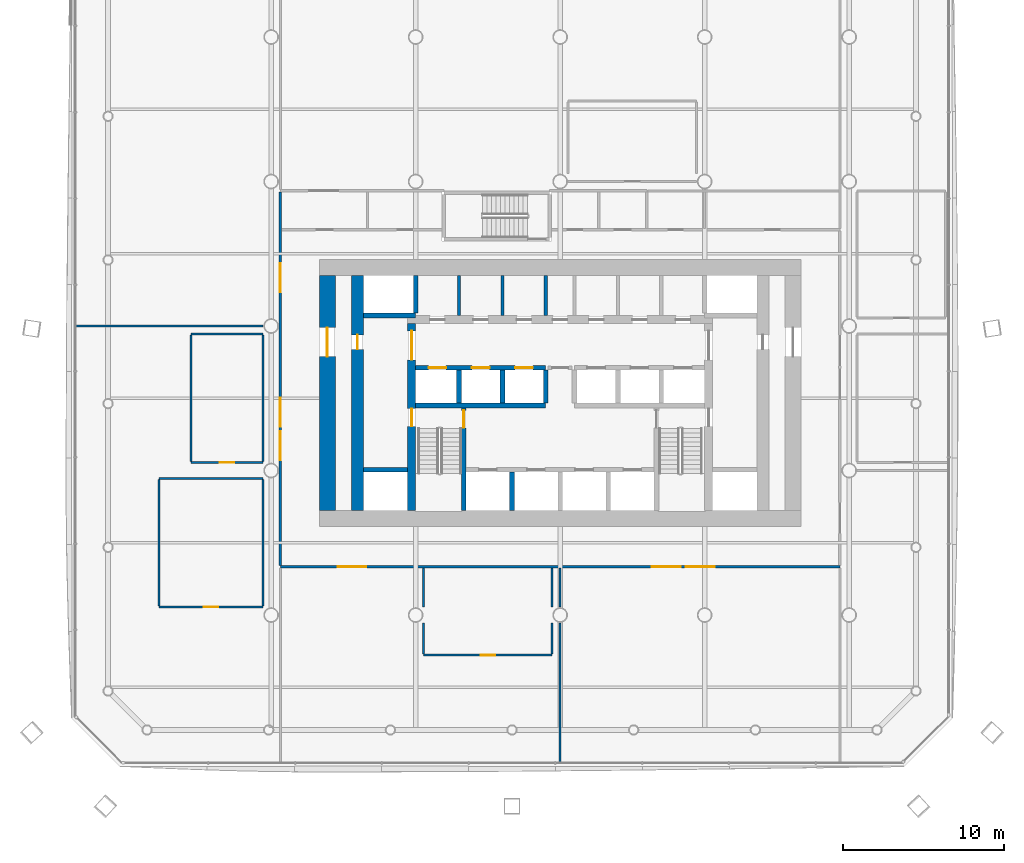
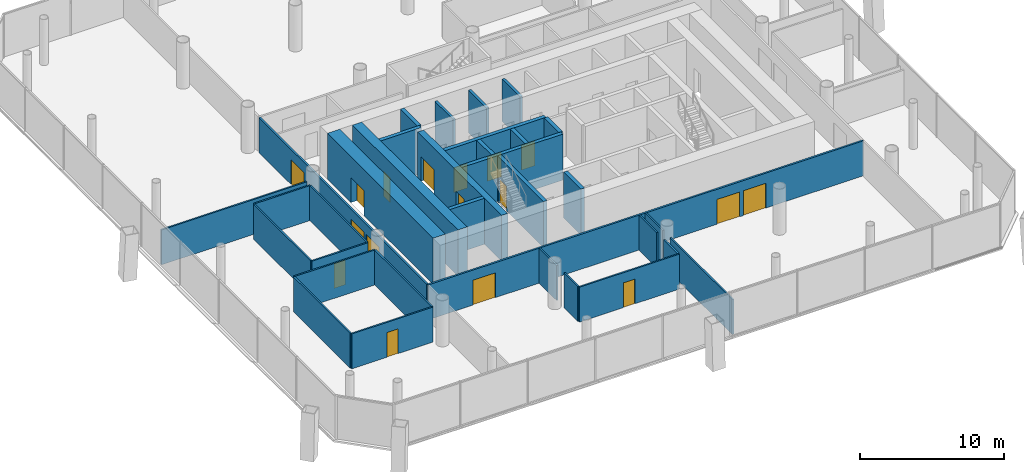
# One storey, part 14 of 22: 34 walls, 17 doors, 17 openings.
"""IFC4 building model written with IfcOpenShell, lengths in metres."""

from ifc_helpers import new_model, si_unit, direction, frame, frame_2d, origin, place, context, subcontext, project, spatial, rectangle, extrude, material, layer, layer_set, type_object, element, fill, save


model = new_model("IFC4")

# Units and contexts
model_context = context("Model", 3, precision=1e-05, world=origin(), true_north=direction((0.0, 1.0)))
body_context = subcontext(model_context, "Body", "Model", "MODEL_VIEW")
ifc_project = project(units=[si_unit("LENGTHUNIT", "METRE"), si_unit("AREAUNIT", "SQUARE_METRE"), si_unit("VOLUMEUNIT", "CUBIC_METRE"), si_unit("PLANEANGLEUNIT", "RADIAN"), si_unit("MASSUNIT", "GRAM", prefix="KILO")], contexts=[model_context])

# Site, building, storey
site_placement = place(None, origin())
site = spatial("IfcSite", under=ifc_project, at=site_placement, CompositionType="ELEMENT")
building_placement = place(site_placement, origin())
building = spatial("IfcBuilding", under=site, at=building_placement, Name="Tskaro Facet Tower", CompositionType="ELEMENT")
storey_placement = place(building_placement, frame((0.0, 0.0, 30.300048828125)))
storey = spatial("IfcBuildingStorey", under=building, at=storey_placement, Name="L06", CompositionType="ELEMENT", Elevation=30.300048828125)

# Walls
ifc_material_1 = material(Name="Concrete C60/75", Category="concrete")
ifc_layer_1 = layer(ifc_material_1, 0.300048828125, Name="Concrete C60/75")
ifc_layer_set_1 = layer_set([ifc_layer_1], Name="Concrete C60/75")
wall_type_1 = type_object("IfcWallType", Name="CORE-SHAFT", PredefinedType="SHEAR", material=ifc_layer_set_1)
wall_1_placement = place(storey_placement, frame((-12.25, -8.949951171875, 0.0), z_axis=(0.0, 0.0, 1.0), x_axis=(1.0, 0.0, 0.0)))
element("IfcWall", 1, at=wall_1_placement, inside=storey, type_object=wall_type_1, Name="Shaft wall W006", PredefinedType="SHEAR", context=body_context, shape_type="SweptSolid", body=[
    extrude(rectangle(XDim=2.75, YDim=0.300048828125, at=frame_2d((1.375, 0.0))), origin(), (0.0, 0.0, 1.0), 3.89990234375),
])
wall_2_placement = place(storey_placement, frame((-9.0, -4.949951171875, 0.0), z_axis=(0.0, 0.0, 1.0), x_axis=(1.0, 0.0, 0.0)))
element("IfcWall", 2, at=wall_2_placement, inside=storey, type_object=wall_type_1, Name="Shaft wall W011", PredefinedType="SHEAR", context=body_context, shape_type="SweptSolid", body=[
    extrude(rectangle(XDim=8.10009765625, YDim=0.300048828125, at=frame_2d((4.050048828125, 0.0))), origin(), (0.0, 0.0, 1.0), 3.89990234375),
])

# Wall, openings, doors
wall_3_placement = place(storey_placement, frame((-9.0, -2.60009765625, 0.0), z_axis=(0.0, 0.0, 1.0), x_axis=(1.0, 0.0, 0.0)))
wall_3 = element("IfcWall", 3, at=wall_3_placement, inside=storey, type_object=wall_type_1, Name="Shaft wall W013", PredefinedType="SHEAR", context=body_context, shape_type="SweptSolid", body=[
    extrude(rectangle(XDim=8.10009765625, YDim=0.300048828125, at=frame_2d((4.050048828125, 0.0))), origin(), (0.0, 0.0, 1.0), 3.89990234375),
])
opening_1_placement = place(wall_3_placement, frame((0.800048828125, 0.0, 0.0)))
opening_1 = element("IfcOpeningElement", 4, at=opening_1_placement, cuts=wall_3, Name="Opening LD-LR1", PredefinedType="OPENING", context=body_context, shape_type="SweptSolid", body=[
    extrude(rectangle(XDim=1.10009765625, YDim=2.10009765625, at=frame_2d((0.550048828125, 1.050048828125))), frame((0.0, 0.159912109375, 0.0), z_axis=(0.0, -1.0, 0.0), x_axis=(1.0, 0.0, 0.0)), (0.0, 0.0, 1.0), 0.320068359375),
])
opening_2_placement = place(wall_3_placement, frame((3.5, 0.0, 0.0)))
opening_2 = element("IfcOpeningElement", 5, at=opening_2_placement, cuts=wall_3, Name="Opening LD-LR2", PredefinedType="OPENING", context=body_context, shape_type="SweptSolid", body=[
    extrude(rectangle(XDim=1.10009765625, YDim=2.10009765625, at=frame_2d((0.550048828125, 1.050048828125))), frame((0.0, 0.159912109375, 0.0), z_axis=(0.0, -1.0, 0.0), x_axis=(1.0, 0.0, 0.0)), (0.0, 0.0, 1.0), 0.320068359375),
])
opening_3_placement = place(wall_3_placement, frame((6.199951171875, 0.0, 0.0)))
opening_3 = element("IfcOpeningElement", 6, at=opening_3_placement, cuts=wall_3, Name="Opening LD-LR3", PredefinedType="OPENING", context=body_context, shape_type="SweptSolid", body=[
    extrude(rectangle(XDim=1.10009765625, YDim=2.10009765625, at=frame_2d((0.550048828125, 1.050048828125))), frame((0.0, 0.159912109375, 0.0), z_axis=(0.0, -1.0, 0.0), x_axis=(1.0, 0.0, 0.0)), (0.0, 0.0, 1.0), 0.320068359375),
])
ifc_material_2 = material(Name="Stainless steel", Category="steel")
door_type_1 = type_object("IfcDoorType", Name="D-LANDING", OperationType="NOTDEFINED", PredefinedType="DOOR", material=ifc_material_2)
door_1_placement = place(opening_1_placement, origin())
door_1 = element("IfcDoor", 7, at=door_1_placement, inside=storey, type_object=door_type_1, Name="Landing door LR1", OperationType="DOUBLE_DOOR_SLIDING", OverallHeight=2.10009765625, OverallWidth=1.10009765625, PredefinedType="DOOR", context=body_context, shape_type="SweptSolid", body=[
    extrude(rectangle(XDim=1.10009765625, YDim=2.10009765625, at=frame_2d((0.550048828125, 1.050048828125))), frame((0.0, 0.02490234375, 0.0), z_axis=(0.0, -1.0, 0.0), x_axis=(1.0, 0.0, 0.0)), (0.0, 0.0, 1.0), 0.050048828125),
])
fill(opening_1, door_1)
door_2_placement = place(opening_2_placement, origin())
door_2 = element("IfcDoor", 8, at=door_2_placement, inside=storey, type_object=door_type_1, Name="Landing door LR2", OperationType="DOUBLE_DOOR_SLIDING", OverallHeight=2.10009765625, OverallWidth=1.10009765625, PredefinedType="DOOR", context=body_context, shape_type="SweptSolid", body=[
    extrude(rectangle(XDim=1.10009765625, YDim=2.10009765625, at=frame_2d((0.550048828125, 1.050048828125))), frame((0.0, 0.02490234375, 0.0), z_axis=(0.0, -1.0, 0.0), x_axis=(1.0, 0.0, 0.0)), (0.0, 0.0, 1.0), 0.050048828125),
])
fill(opening_2, door_2)
door_3_placement = place(opening_3_placement, origin())
door_3 = element("IfcDoor", 9, at=door_3_placement, inside=storey, type_object=door_type_1, Name="Landing door LR3", OperationType="DOUBLE_DOOR_SLIDING", OverallHeight=2.10009765625, OverallWidth=1.10009765625, PredefinedType="DOOR", context=body_context, shape_type="SweptSolid", body=[
    extrude(rectangle(XDim=1.10009765625, YDim=2.10009765625, at=frame_2d((0.550048828125, 1.050048828125))), frame((0.0, 0.02490234375, 0.0), z_axis=(0.0, -1.0, 0.0), x_axis=(1.0, 0.0, 0.0)), (0.0, 0.0, 1.0), 0.050048828125),
])
fill(opening_3, door_3)

# Walls
wall_4_placement = place(storey_placement, frame((-9.0, 0.64990234375, 0.0), z_axis=(0.0, 0.0, 1.0), x_axis=(-1.0, 0.0, 0.0)))
element("IfcWall", 10, at=wall_4_placement, inside=storey, type_object=wall_type_1, Name="Shaft wall W020", PredefinedType="SHEAR", context=body_context, shape_type="SweptSolid", body=[
    extrude(rectangle(XDim=3.25, YDim=0.300048828125, at=frame_2d((1.625, 0.0))), origin(), (0.0, 0.0, 1.0), 3.89990234375),
])
wall_5_placement = place(storey_placement, frame((-9.0, 0.800048828125, 0.0), z_axis=(0.0, 0.0, 1.0), x_axis=(0.0, 1.0, 0.0)))
element("IfcWall", 11, at=wall_5_placement, inside=storey, type_object=wall_type_1, Name="Shaft wall W040", PredefinedType="SHEAR", context=body_context, shape_type="SweptSolid", body=[
    extrude(rectangle(XDim=2.349853515625, YDim=0.300048828125, at=frame_2d((1.1748046875, 0.0))), origin(), (0.0, 0.0, 1.0), 3.89990234375),
])
wall_6_placement = place(storey_placement, frame((-6.300048828125, -4.800048828125, 0.0), z_axis=(0.0, 0.0, 1.0), x_axis=(0.0, 1.0, 0.0)))
element("IfcWall", 12, at=wall_6_placement, inside=storey, type_object=wall_type_1, Name="Shaft wall W044", PredefinedType="SHEAR", context=body_context, shape_type="SweptSolid", body=[
    extrude(rectangle(XDim=2.050048828125, YDim=0.300048828125, at=frame_2d((1.02490234375, 0.0))), origin(), (0.0, 0.0, 1.0), 3.89990234375),
])

# Wall, opening, door
wall_7_placement = place(storey_placement, frame((-6.0, -11.5, 0.0), z_axis=(0.0, 0.0, 1.0), x_axis=(0.0, 1.0, 0.0)))
wall_7 = element("IfcWall", 13, at=wall_7_placement, inside=storey, type_object=wall_type_1, Name="Shaft wall W046", PredefinedType="SHEAR", context=body_context, shape_type="SweptSolid", body=[
    extrude(rectangle(XDim=6.39990234375, YDim=0.300048828125, at=frame_2d((3.199951171875, 0.0))), origin(), (0.0, 0.0, 1.0), 3.89990234375),
])
opening_4_placement = place(wall_7_placement, frame((5.14990234375, 0.0, 0.0)))
opening_4 = element("IfcOpeningElement", 14, at=opening_4_placement, cuts=wall_7, Name="Opening ST-1-D1", PredefinedType="OPENING", context=body_context, shape_type="SweptSolid", body=[
    extrude(rectangle(XDim=1.10009765625, YDim=2.10009765625, at=frame_2d((0.550048828125, 1.050048828125))), frame((0.0, 0.159912109375, 0.0), z_axis=(0.0, -1.0, 0.0), x_axis=(1.0, 0.0, 0.0)), (0.0, 0.0, 1.0), 0.320068359375),
])
ifc_material_3 = material(Name="Steel", Category="steel")
door_type_2 = type_object("IfcDoorType", Name="D-STAIR", OperationType="NOTDEFINED", PredefinedType="DOOR", material=ifc_material_3)
door_4_placement = place(opening_4_placement, origin())
door_4 = element("IfcDoor", 15, at=door_4_placement, inside=storey, type_object=door_type_2, Name="Stair door 1", OperationType="SINGLE_SWING_LEFT", OverallHeight=2.10009765625, OverallWidth=1.10009765625, PredefinedType="DOOR", context=body_context, shape_type="SweptSolid", body=[
    extrude(rectangle(XDim=1.10009765625, YDim=2.10009765625, at=frame_2d((0.550048828125, 1.050048828125))), frame((0.0, 0.02490234375, 0.0), z_axis=(0.0, -1.0, 0.0), x_axis=(1.0, 0.0, 0.0)), (0.0, 0.0, 1.0), 0.050048828125),
])
fill(opening_4, door_4)

# Walls
wall_8_placement = place(storey_placement, frame((-3.60009765625, -4.800048828125, 0.0), z_axis=(0.0, 0.0, 1.0), x_axis=(0.0, 1.0, 0.0)))
element("IfcWall", 16, at=wall_8_placement, inside=storey, type_object=wall_type_1, Name="Shaft wall W047", PredefinedType="SHEAR", context=body_context, shape_type="SweptSolid", body=[
    extrude(rectangle(XDim=2.050048828125, YDim=0.300048828125, at=frame_2d((1.02490234375, 0.0))), origin(), (0.0, 0.0, 1.0), 3.89990234375),
])
wall_9_placement = place(storey_placement, frame((-3.0, -11.5, 0.0), z_axis=(0.0, 0.0, 1.0), x_axis=(0.0, 1.0, 0.0)))
element("IfcWall", 17, at=wall_9_placement, inside=storey, type_object=wall_type_1, Name="Shaft wall W049", PredefinedType="SHEAR", context=body_context, shape_type="SweptSolid", body=[
    extrude(rectangle(XDim=2.39990234375, YDim=0.300048828125, at=frame_2d((1.199951171875, 0.0))), origin(), (0.0, 0.0, 1.0), 3.89990234375),
])
wall_10_placement = place(storey_placement, frame((-0.89990234375, -4.800048828125, 0.0), z_axis=(0.0, 0.0, 1.0), x_axis=(0.0, 1.0, 0.0)))
element("IfcWall", 18, at=wall_10_placement, inside=storey, type_object=wall_type_1, Name="Shaft wall W050", PredefinedType="SHEAR", context=body_context, shape_type="SweptSolid", body=[
    extrude(rectangle(XDim=2.050048828125, YDim=0.300048828125, at=frame_2d((1.02490234375, 0.0))), origin(), (0.0, 0.0, 1.0), 3.89990234375),
])
ifc_material_4 = material(Name="Concrete C20/25", Category="concrete")
ifc_layer_2 = layer(ifc_material_4, 0.199951171875, Name="Concrete C20/25")
ifc_layer_set_2 = layer_set([ifc_layer_2], Name="Concrete C20/25")
wall_type_2 = type_object("IfcWallType", Name="CORE-WALL", PredefinedType="SOLIDWALL", material=ifc_layer_set_2)
for number, where, z_axis, x_axis, name in (
    (19, (-6.300048828125, 0.64990234375, 0.0), (0.0, 0.0, 1.0), (0.0, 1.0, 0.0), "Core room wall W045"),
    (20, (-3.60009765625, 0.64990234375, 0.0), (0.0, 0.0, 1.0), (0.0, 1.0, 0.0), "Core room wall W048"),
    (21, (-0.89990234375, 0.64990234375, 0.0), (0.0, 0.0, 1.0), (0.0, 1.0, 0.0), "Core room wall W051"),
):
    element("IfcWall", number, at=place(storey_placement, frame(where, z_axis=z_axis, x_axis=x_axis)), inside=storey, type_object=wall_type_2, Name=name, PredefinedType="SOLIDWALL", context=body_context, shape_type="SweptSolid", body=[
        extrude(rectangle(XDim=2.5, YDim=0.199951171875, at=frame_2d((1.25, 0.0))), origin(), (0.0, 0.0, 1.0), 3.599853515625),
    ])

# Wall, opening, door
ifc_layer_3 = layer(ifc_material_1, 1.0, Name="Concrete C60/75")
ifc_layer_set_3 = layer_set([ifc_layer_3], Name="Concrete C60/75")
wall_type_3 = type_object("IfcWallType", Name="Core wall 1000", PredefinedType="SHEAR", material=ifc_layer_set_3)
wall_11_placement = place(storey_placement, frame((-14.5, -11.5, 0.0), z_axis=(0.0, 0.0, 1.0), x_axis=(0.0, 1.0, 0.0)))
wall_11 = element("IfcWall", 22, at=wall_11_placement, inside=storey, type_object=wall_type_3, Name="Core wall CW-Z1W", PredefinedType="SHEAR", context=body_context, shape_type="SweptSolid", body=[
    extrude(rectangle(XDim=14.64990234375, YDim=1.0, at=frame_2d((7.324951171875, 0.0))), origin(), (0.0, 0.0, 1.0), 3.89990234375),
])
opening_5_placement = place(wall_11_placement, frame((9.60009765625, 0.0, 0.0)))
opening_5 = element("IfcOpeningElement", 23, at=opening_5_placement, cuts=wall_11, Name="Opening T1-D17", PredefinedType="OPENING", context=body_context, shape_type="SweptSolid", body=[
    extrude(rectangle(XDim=1.800048828125, YDim=2.10009765625, at=frame_2d((0.89990234375, 1.050048828125))), frame((0.0, 0.510009765625, 0.0), z_axis=(0.0, -1.0, 0.0), x_axis=(1.0, 0.0, 0.0)), (0.0, 0.0, 1.0), 1.02001953125),
])
door_type_3 = type_object("IfcDoorType", Name="D-CORE-PAIR", OperationType="NOTDEFINED", PredefinedType="DOOR", material=ifc_material_3)
door_5_placement = place(opening_5_placement, origin())
door_5 = element("IfcDoor", 24, at=door_5_placement, inside=storey, type_object=door_type_3, Name="Door T1-D17", OperationType="DOUBLE_DOOR_SINGLE_SWING", OverallHeight=2.10009765625, OverallWidth=1.800048828125, PredefinedType="DOOR", context=body_context, shape_type="SweptSolid", body=[
    extrude(rectangle(XDim=1.800048828125, YDim=2.10009765625, at=frame_2d((0.89990234375, 1.050048828125))), frame((0.0, 0.02490234375, 0.0), z_axis=(0.0, -1.0, 0.0), x_axis=(1.0, 0.0, 0.0)), (0.0, 0.0, 1.0), 0.050048828125),
])
fill(opening_5, door_5)

# Wall, openings, doors
ifc_material_5 = material(Name="Concrete C40/50", Category="concrete")
ifc_layer_4 = layer(ifc_material_5, 0.5, Name="Concrete C40/50")
ifc_layer_set_4 = layer_set([ifc_layer_4], Name="Concrete C40/50")
wall_type_4 = type_object("IfcWallType", Name="Core wall 500", PredefinedType="SHEAR", material=ifc_layer_set_4)
wall_12_placement = place(storey_placement, frame((-9.25, -11.5, 0.0), z_axis=(0.0, 0.0, 1.0), x_axis=(0.0, 1.0, 0.0)))
wall_12 = element("IfcWall", 25, at=wall_12_placement, inside=storey, type_object=wall_type_4, Name="Core wall CW-Z3W", PredefinedType="SHEAR", context=body_context, shape_type="SweptSolid", body=[
    extrude(rectangle(XDim=11.64990234375, YDim=0.5, at=frame_2d((5.824951171875, 0.0))), origin(), (0.0, 0.0, 1.0), 3.89990234375),
])
opening_6_placement = place(wall_12_placement, frame((9.39990234375, 0.0, 0.0)))
opening_6 = element("IfcOpeningElement", 26, at=opening_6_placement, cuts=wall_12, Name="Opening T1-D15", PredefinedType="OPENING", context=body_context, shape_type="SweptSolid", body=[
    extrude(rectangle(XDim=1.800048828125, YDim=2.10009765625, at=frame_2d((0.89990234375, 1.050048828125))), frame((0.0, 0.260009765625, 0.0), z_axis=(0.0, -1.0, 0.0), x_axis=(1.0, 0.0, 0.0)), (0.0, 0.0, 1.0), 0.52001953125),
])
opening_7_placement = place(wall_12_placement, frame((5.25, 0.0, 0.0)))
opening_7 = element("IfcOpeningElement", 27, at=opening_7_placement, cuts=wall_12, Name="Opening ST-1-D2", PredefinedType="OPENING", context=body_context, shape_type="SweptSolid", body=[
    extrude(rectangle(XDim=1.10009765625, YDim=2.10009765625, at=frame_2d((0.550048828125, 1.050048828125))), frame((0.0, 0.260009765625, 0.0), z_axis=(0.0, -1.0, 0.0), x_axis=(1.0, 0.0, 0.0)), (0.0, 0.0, 1.0), 0.52001953125),
])
door_6_placement = place(opening_6_placement, origin())
door_6 = element("IfcDoor", 28, at=door_6_placement, inside=storey, type_object=door_type_3, Name="Door T1-D15", OperationType="DOUBLE_DOOR_SINGLE_SWING", OverallHeight=2.10009765625, OverallWidth=1.800048828125, PredefinedType="DOOR", context=body_context, shape_type="SweptSolid", body=[
    extrude(rectangle(XDim=1.800048828125, YDim=2.10009765625, at=frame_2d((0.89990234375, 1.050048828125))), frame((0.0, 0.02490234375, 0.0), z_axis=(0.0, -1.0, 0.0), x_axis=(1.0, 0.0, 0.0)), (0.0, 0.0, 1.0), 0.050048828125),
])
fill(opening_6, door_6)
door_7_placement = place(opening_7_placement, origin())
door_7 = element("IfcDoor", 29, at=door_7_placement, inside=storey, type_object=door_type_2, Name="Stair door 1 west", OperationType="SINGLE_SWING_LEFT", OverallHeight=2.10009765625, OverallWidth=1.10009765625, PredefinedType="DOOR", context=body_context, shape_type="SweptSolid", body=[
    extrude(rectangle(XDim=1.10009765625, YDim=2.10009765625, at=frame_2d((0.550048828125, 1.050048828125))), frame((0.0, 0.02490234375, 0.0), z_axis=(0.0, -1.0, 0.0), x_axis=(1.0, 0.0, 0.0)), (0.0, 0.0, 1.0), 0.050048828125),
])
fill(opening_7, door_7)

# Wall, opening, door
ifc_material_6 = material(Name="Concrete C50/60", Category="concrete")
ifc_layer_5 = layer(ifc_material_6, 0.75, Name="Concrete C50/60")
ifc_layer_set_5 = layer_set([ifc_layer_5], Name="Concrete C50/60")
wall_type_5 = type_object("IfcWallType", Name="Core wall 750", PredefinedType="SHEAR", material=ifc_layer_set_5)
wall_13_placement = place(storey_placement, frame((-12.625, -11.5, 0.0), z_axis=(0.0, 0.0, 1.0), x_axis=(0.0, 1.0, 0.0)))
wall_13 = element("IfcWall", 30, at=wall_13_placement, inside=storey, type_object=wall_type_5, Name="Core wall CW-Z2W", PredefinedType="SHEAR", context=body_context, shape_type="SweptSolid", body=[
    extrude(rectangle(XDim=14.64990234375, YDim=0.75, at=frame_2d((7.324951171875, 0.0))), origin(), (0.0, 0.0, 1.0), 3.89990234375),
])
opening_8_placement = place(wall_13_placement, frame((10.050048828125, 0.0, 0.0)))
opening_8 = element("IfcOpeningElement", 31, at=opening_8_placement, cuts=wall_13, Name="Opening T1-D18", PredefinedType="OPENING", context=body_context, shape_type="SweptSolid", body=[
    extrude(rectangle(XDim=0.89990234375, YDim=2.10009765625, at=frame_2d((0.449951171875, 1.050048828125))), frame((0.0, 0.385009765625, 0.0), z_axis=(0.0, -1.0, 0.0), x_axis=(1.0, 0.0, 0.0)), (0.0, 0.0, 1.0), 0.77001953125),
])
ifc_material_7 = material(Name="Timber", Category="wood")
door_type_4 = type_object("IfcDoorType", Name="D-ROOM", OperationType="NOTDEFINED", PredefinedType="DOOR", material=ifc_material_7)
door_8_placement = place(opening_8_placement, origin())
door_8 = element("IfcDoor", 32, at=door_8_placement, inside=storey, type_object=door_type_4, Name="Door T1-D18", OperationType="SINGLE_SWING_LEFT", OverallHeight=2.10009765625, OverallWidth=0.89990234375, PredefinedType="DOOR", context=body_context, shape_type="SweptSolid", body=[
    extrude(rectangle(XDim=0.89990234375, YDim=2.10009765625, at=frame_2d((0.449951171875, 1.050048828125))), frame((0.0, 0.02490234375, 0.0), z_axis=(0.0, -1.0, 0.0), x_axis=(1.0, 0.0, 0.0)), (0.0, 0.0, 1.0), 0.050048828125),
])
fill(opening_8, door_8)

ifc_material_8 = material(Name="Gypsum board on steel studs", Category="steel")
ifc_layer_6 = layer(ifc_material_8, 0.125, Name="Gypsum board on steel studs")
ifc_layer_set_6 = layer_set([ifc_layer_6], Name="Gypsum board on steel studs")
wall_type_6 = type_object("IfcWallType", Name="PART", PredefinedType="PARTITIONING", material=ifc_layer_set_6)
wall_14_placement = place(storey_placement, frame((-8.5, -20.5, 0.0), z_axis=(0.0, 0.0, 1.0), x_axis=(1.0, 0.0, 0.0)))
wall_14 = element("IfcWall", 33, at=wall_14_placement, inside=storey, type_object=wall_type_6, Name="Partition W001", PredefinedType="PARTITIONING", context=body_context, shape_type="SweptSolid", body=[
    extrude(rectangle(XDim=8.0, YDim=0.125, at=frame_2d((4.0, 0.0))), origin(), (0.0, 0.0, 1.0), 2.9599609375),
])
opening_9_placement = place(wall_14_placement, frame((3.550048828125, 0.0, 0.0)))
opening_9 = element("IfcOpeningElement", 34, at=opening_9_placement, cuts=wall_14, Name="Opening T1-D01", PredefinedType="OPENING", context=body_context, shape_type="SweptSolid", body=[
    extrude(rectangle(XDim=0.89990234375, YDim=2.10009765625, at=frame_2d((0.449951171875, 1.050048828125))), frame((0.0, 0.072509765625, 0.0), z_axis=(0.0, -1.0, 0.0), x_axis=(1.0, 0.0, 0.0)), (0.0, 0.0, 1.0), 0.14501953125),
])
door_9_placement = place(opening_9_placement, origin())
door_9 = element("IfcDoor", 35, at=door_9_placement, inside=storey, type_object=door_type_4, Name="Door T1-D01", OperationType="SINGLE_SWING_LEFT", OverallHeight=2.10009765625, OverallWidth=0.89990234375, PredefinedType="DOOR", context=body_context, shape_type="SweptSolid", body=[
    extrude(rectangle(XDim=0.89990234375, YDim=2.10009765625, at=frame_2d((0.449951171875, 1.050048828125))), frame((0.0, 0.02490234375, 0.0), z_axis=(0.0, -1.0, 0.0), x_axis=(1.0, 0.0, 0.0)), (0.0, 0.0, 1.0), 0.050048828125),
])
fill(opening_9, door_9)

wall_15_placement = place(storey_placement, frame((-25.0, -17.5, 0.0), z_axis=(0.0, 0.0, 1.0), x_axis=(1.0, 0.0, 0.0)))
wall_15 = element("IfcWall", 36, at=wall_15_placement, inside=storey, type_object=wall_type_6, Name="Partition W002", PredefinedType="PARTITIONING", context=body_context, shape_type="SweptSolid", body=[
    extrude(rectangle(XDim=6.5, YDim=0.125, at=frame_2d((3.25, 0.0))), origin(), (0.0, 0.0, 1.0), 2.9599609375),
])
opening_10_placement = place(wall_15_placement, frame((2.800048828125, 0.0, 0.0)))
opening_10 = element("IfcOpeningElement", 37, at=opening_10_placement, cuts=wall_15, Name="Opening T1-D02", PredefinedType="OPENING", context=body_context, shape_type="SweptSolid", body=[
    extrude(rectangle(XDim=0.89990234375, YDim=2.10009765625, at=frame_2d((0.449951171875, 1.050048828125))), frame((0.0, 0.072509765625, 0.0), z_axis=(0.0, -1.0, 0.0), x_axis=(1.0, 0.0, 0.0)), (0.0, 0.0, 1.0), 0.14501953125),
])
door_10_placement = place(opening_10_placement, origin())
door_10 = element("IfcDoor", 38, at=door_10_placement, inside=storey, type_object=door_type_4, Name="Door T1-D02", OperationType="SINGLE_SWING_LEFT", OverallHeight=2.10009765625, OverallWidth=0.89990234375, PredefinedType="DOOR", context=body_context, shape_type="SweptSolid", body=[
    extrude(rectangle(XDim=0.89990234375, YDim=2.10009765625, at=frame_2d((0.449951171875, 1.050048828125))), frame((0.0, 0.02490234375, 0.0), z_axis=(0.0, -1.0, 0.0), x_axis=(1.0, 0.0, 0.0)), (0.0, 0.0, 1.0), 0.050048828125),
])
fill(opening_10, door_10)

# Wall
wall_16_placement = place(storey_placement, frame((-25.0, -9.5, 0.0), z_axis=(0.0, 0.0, 1.0), x_axis=(1.0, 0.0, 0.0)))
element("IfcWall", 39, at=wall_16_placement, inside=storey, type_object=wall_type_6, Name="Partition W004", PredefinedType="PARTITIONING", context=body_context, shape_type="SweptSolid", body=[
    extrude(rectangle(XDim=6.5, YDim=0.125, at=frame_2d((3.25, 0.0))), origin(), (0.0, 0.0, 1.0), 2.9599609375),
])

# Wall, opening, door
wall_17_placement = place(storey_placement, frame((-23.0, -8.5, 0.0), z_axis=(0.0, 0.0, 1.0), x_axis=(1.0, 0.0, 0.0)))
wall_17 = element("IfcWall", 40, at=wall_17_placement, inside=storey, type_object=wall_type_6, Name="Partition W009", PredefinedType="PARTITIONING", context=body_context, shape_type="SweptSolid", body=[
    extrude(rectangle(XDim=4.5, YDim=0.125, at=frame_2d((2.25, 0.0))), origin(), (0.0, 0.0, 1.0), 2.9599609375),
])
opening_11_placement = place(wall_17_placement, frame((1.800048828125, 0.0, 0.0)))
opening_11 = element("IfcOpeningElement", 41, at=opening_11_placement, cuts=wall_17, Name="Opening T1-D09", PredefinedType="OPENING", context=body_context, shape_type="SweptSolid", body=[
    extrude(rectangle(XDim=0.89990234375, YDim=2.10009765625, at=frame_2d((0.449951171875, 1.050048828125))), frame((0.0, 0.072509765625, 0.0), z_axis=(0.0, -1.0, 0.0), x_axis=(1.0, 0.0, 0.0)), (0.0, 0.0, 1.0), 0.14501953125),
])
door_11_placement = place(opening_11_placement, origin())
door_11 = element("IfcDoor", 42, at=door_11_placement, inside=storey, type_object=door_type_4, Name="Door T1-D09", OperationType="SINGLE_SWING_LEFT", OverallHeight=2.10009765625, OverallWidth=0.89990234375, PredefinedType="DOOR", context=body_context, shape_type="SweptSolid", body=[
    extrude(rectangle(XDim=0.89990234375, YDim=2.10009765625, at=frame_2d((0.449951171875, 1.050048828125))), frame((0.0, 0.02490234375, 0.0), z_axis=(0.0, -1.0, 0.0), x_axis=(1.0, 0.0, 0.0)), (0.0, 0.0, 1.0), 0.050048828125),
])
fill(opening_11, door_11)

# Walls
wall_18_placement = place(storey_placement, frame((-23.0, -0.5, 0.0), z_axis=(0.0, 0.0, 1.0), x_axis=(1.0, 0.0, 0.0)))
element("IfcWall", 43, at=wall_18_placement, inside=storey, type_object=wall_type_6, Name="Partition W016", PredefinedType="PARTITIONING", context=body_context, shape_type="SweptSolid", body=[
    extrude(rectangle(XDim=4.5, YDim=0.125, at=frame_2d((2.25, 0.0))), origin(), (0.0, 0.0, 1.0), 2.9599609375),
])
wall_19_placement = place(storey_placement, frame((-30.152099609375, 0.0, 0.0), z_axis=(0.0, 0.0, 1.0), x_axis=(1.0, 0.0, 0.0)))
element("IfcWall", 44, at=wall_19_placement, inside=storey, type_object=wall_type_6, Name="Partition W018", PredefinedType="PARTITIONING", context=body_context, shape_type="SweptSolid", body=[
    extrude(rectangle(XDim=11.652099609375, YDim=0.125, at=frame_2d((5.826171875, 0.0))), origin(), (0.0, 0.0, 1.0), 2.9599609375),
])
for number, where, z_axis, x_axis, name in (
    (45, (-25.0, -17.4375, 0.0), (0.0, 0.0, 1.0), (0.0, 1.0, 0.0), "Partition W032"),
    (46, (-23.0, -8.4375, 0.0), (0.0, 0.0, 1.0), (0.0, 1.0, 0.0), "Partition W033"),
    (47, (-18.5, -17.4375, 0.0), (0.0, 0.0, 1.0), (0.0, 1.0, 0.0), "Partition W034"),
    (48, (-18.5, -8.4375, 0.0), (0.0, 0.0, 1.0), (0.0, 1.0, 0.0), "Partition W035"),
):
    element("IfcWall", number, at=place(storey_placement, frame(where, z_axis=z_axis, x_axis=x_axis)), inside=storey, type_object=wall_type_6, Name=name, PredefinedType="PARTITIONING", context=body_context, shape_type="SweptSolid", body=[
        extrude(rectangle(XDim=7.875, YDim=0.125, at=frame_2d((3.9375, 0.0))), origin(), (0.0, 0.0, 1.0), 2.9599609375),
    ])
wall_20_placement = place(storey_placement, frame((-8.5, -20.4375, 0.0), z_axis=(0.0, 0.0, 1.0), x_axis=(0.0, 1.0, 0.0)))
element("IfcWall", 49, at=wall_20_placement, inside=storey, type_object=wall_type_6, Name="Partition W041", PredefinedType="PARTITIONING", context=body_context, shape_type="SweptSolid", body=[
    extrude(rectangle(XDim=1.9375, YDim=0.125, at=frame_2d((0.96875, 0.0))), origin(), (0.0, 0.0, 1.0), 2.9599609375),
])
wall_21_placement = place(storey_placement, frame((-8.5, -17.5, 0.0), z_axis=(0.0, 0.0, 1.0), x_axis=(0.0, 1.0, 0.0)))
element("IfcWall", 50, at=wall_21_placement, inside=storey, type_object=wall_type_6, Name="Partition W042", PredefinedType="PARTITIONING", context=body_context, shape_type="SweptSolid", body=[
    extrude(rectangle(XDim=2.425048828125, YDim=0.125, at=frame_2d((1.21240234375, 0.0))), origin(), (0.0, 0.0, 1.0), 2.9599609375),
])
wall_22_placement = place(storey_placement, frame((-0.5, -20.4375, 0.0), z_axis=(0.0, 0.0, 1.0), x_axis=(0.0, 1.0, 0.0)))
element("IfcWall", 51, at=wall_22_placement, inside=storey, type_object=wall_type_6, Name="Partition W053", PredefinedType="PARTITIONING", context=body_context, shape_type="SweptSolid", body=[
    extrude(rectangle(XDim=1.9375, YDim=0.125, at=frame_2d((0.96875, 0.0))), origin(), (0.0, 0.0, 1.0), 2.9599609375),
])
wall_23_placement = place(storey_placement, frame((-0.5, -17.5, 0.0), z_axis=(0.0, 0.0, 1.0), x_axis=(0.0, 1.0, 0.0)))
element("IfcWall", 52, at=wall_23_placement, inside=storey, type_object=wall_type_6, Name="Partition W054", PredefinedType="PARTITIONING", context=body_context, shape_type="SweptSolid", body=[
    extrude(rectangle(XDim=2.425048828125, YDim=0.125, at=frame_2d((1.21240234375, 0.0))), origin(), (0.0, 0.0, 1.0), 2.9599609375),
])
wall_24_placement = place(storey_placement, frame((0.0, -27.152099609375, 0.0), z_axis=(0.0, 0.0, 1.0), x_axis=(0.0, 1.0, 0.0)))
element("IfcWall", 53, at=wall_24_placement, inside=storey, type_object=wall_type_6, Name="Partition W055", PredefinedType="PARTITIONING", context=body_context, shape_type="SweptSolid", body=[
    extrude(rectangle(XDim=8.652099609375, YDim=0.125, at=frame_2d((4.326171875, 0.0))), origin(), (0.0, 0.0, 1.0), 2.9599609375),
])
wall_25_placement = place(storey_placement, frame((0.0, -17.5, 0.0), z_axis=(0.0, 0.0, 1.0), x_axis=(0.0, 1.0, 0.0)))
element("IfcWall", 54, at=wall_25_placement, inside=storey, type_object=wall_type_6, Name="Partition W056", PredefinedType="PARTITIONING", context=body_context, shape_type="SweptSolid", body=[
    extrude(rectangle(XDim=2.425048828125, YDim=0.125, at=frame_2d((1.21240234375, 0.0))), origin(), (0.0, 0.0, 1.0), 2.9599609375),
])

# Wall, openings, doors
ifc_layer_7 = layer(ifc_material_8, 0.14990234375, Name="Gypsum board on steel studs")
ifc_layer_set_7 = layer_set([ifc_layer_7], Name="Gypsum board on steel studs")
wall_type_7 = type_object("IfcWallType", Name="PART-CORR", PredefinedType="PARTITIONING", material=ifc_layer_set_7)
wall_26_placement = place(storey_placement, frame((-17.425048828125, -15.0, 0.0), z_axis=(0.0, 0.0, 1.0), x_axis=(1.0, 0.0, 0.0)))
wall_26 = element("IfcWall", 55, at=wall_26_placement, inside=storey, type_object=wall_type_7, Name="Corridor wall W003", PredefinedType="PARTITIONING", context=body_context, shape_type="SweptSolid", body=[
    extrude(rectangle(XDim=34.85009765625, YDim=0.14990234375, at=frame_2d((17.425048828125, 0.0))), origin(), (0.0, 0.0, 1.0), 2.9599609375),
])
opening_12_placement = place(wall_26_placement, frame((3.5625, 0.0, 0.0)))
opening_12 = element("IfcOpeningElement", 56, at=opening_12_placement, cuts=wall_26, Name="Opening T1-D03", PredefinedType="OPENING", context=body_context, shape_type="SweptSolid", body=[
    extrude(rectangle(XDim=1.800048828125, YDim=2.10009765625, at=frame_2d((0.89990234375, 1.050048828125))), frame((0.0, 0.0849609375, 0.0), z_axis=(0.0, -1.0, 0.0), x_axis=(1.0, 0.0, 0.0)), (0.0, 0.0, 1.0), 0.169921875),
])
opening_13_placement = place(wall_26_placement, frame((25.237548828125, 0.0, 0.0)))
opening_13 = element("IfcOpeningElement", 57, at=opening_13_placement, cuts=wall_26, Name="Opening T1-D05", PredefinedType="OPENING", context=body_context, shape_type="SweptSolid", body=[
    extrude(rectangle(XDim=1.800048828125, YDim=2.10009765625, at=frame_2d((0.89990234375, 1.050048828125))), frame((0.0, 0.0849609375, 0.0), z_axis=(0.0, -1.0, 0.0), x_axis=(1.0, 0.0, 0.0)), (0.0, 0.0, 1.0), 0.169921875),
])
opening_14_placement = place(wall_26_placement, frame((23.137451171875, 0.0, 0.0)))
opening_14 = element("IfcOpeningElement", 58, at=opening_14_placement, cuts=wall_26, Name="Opening T1-D04", PredefinedType="OPENING", context=body_context, shape_type="SweptSolid", body=[
    extrude(rectangle(XDim=1.800048828125, YDim=2.10009765625, at=frame_2d((0.89990234375, 1.050048828125))), frame((0.0, 0.0849609375, 0.0), z_axis=(0.0, -1.0, 0.0), x_axis=(1.0, 0.0, 0.0)), (0.0, 0.0, 1.0), 0.169921875),
])
ifc_material_9 = material(Name="Glass", Category="glass")
door_type_5 = type_object("IfcDoorType", Name="D-ENTRY-PAIR", OperationType="NOTDEFINED", PredefinedType="DOOR", material=ifc_material_9)
door_12_placement = place(opening_12_placement, origin())
door_12 = element("IfcDoor", 59, at=door_12_placement, inside=storey, type_object=door_type_5, Name="Door T1-D03", OperationType="DOUBLE_DOOR_SINGLE_SWING", OverallHeight=2.10009765625, OverallWidth=1.800048828125, PredefinedType="DOOR", context=body_context, shape_type="SweptSolid", body=[
    extrude(rectangle(XDim=1.800048828125, YDim=2.10009765625, at=frame_2d((0.89990234375, 1.050048828125))), frame((0.0, 0.02490234375, 0.0), z_axis=(0.0, -1.0, 0.0), x_axis=(1.0, 0.0, 0.0)), (0.0, 0.0, 1.0), 0.050048828125),
])
fill(opening_12, door_12)
door_13_placement = place(opening_13_placement, origin())
door_13 = element("IfcDoor", 60, at=door_13_placement, inside=storey, type_object=door_type_5, Name="Door T1-D05", OperationType="DOUBLE_DOOR_SINGLE_SWING", OverallHeight=2.10009765625, OverallWidth=1.800048828125, PredefinedType="DOOR", context=body_context, shape_type="SweptSolid", body=[
    extrude(rectangle(XDim=1.800048828125, YDim=2.10009765625, at=frame_2d((0.89990234375, 1.050048828125))), frame((0.0, 0.02490234375, 0.0), z_axis=(0.0, -1.0, 0.0), x_axis=(1.0, 0.0, 0.0)), (0.0, 0.0, 1.0), 0.050048828125),
])
fill(opening_13, door_13)
door_14_placement = place(opening_14_placement, origin())
door_14 = element("IfcDoor", 61, at=door_14_placement, inside=storey, type_object=door_type_5, Name="Door T1-D04", OperationType="DOUBLE_DOOR_SINGLE_SWING", OverallHeight=2.10009765625, OverallWidth=1.800048828125, PredefinedType="DOOR", context=body_context, shape_type="SweptSolid", body=[
    extrude(rectangle(XDim=1.800048828125, YDim=2.10009765625, at=frame_2d((0.89990234375, 1.050048828125))), frame((0.0, 0.02490234375, 0.0), z_axis=(0.0, -1.0, 0.0), x_axis=(1.0, 0.0, 0.0)), (0.0, 0.0, 1.0), 0.050048828125),
])
fill(opening_14, door_14)

wall_27_placement = place(storey_placement, frame((-17.425048828125, 8.35009765625, 0.0), z_axis=(0.0, 0.0, 1.0), x_axis=(0.0, -1.0, 0.0)))
wall_27 = element("IfcWall", 62, at=wall_27_placement, inside=storey, type_object=wall_type_7, Name="Corridor wall W037", PredefinedType="PARTITIONING", context=body_context, shape_type="SweptSolid", body=[
    extrude(rectangle(XDim=23.275146484375, YDim=0.14990234375, at=frame_2d((11.6376953125, 0.0))), origin(), (0.0, 0.0, 1.0), 2.9599609375),
])
opening_15_placement = place(wall_27_placement, frame((14.91259765625, 0.0, 0.0)))
opening_15 = element("IfcOpeningElement", 63, at=opening_15_placement, cuts=wall_27, Name="Opening T1-D11", PredefinedType="OPENING", context=body_context, shape_type="SweptSolid", body=[
    extrude(rectangle(XDim=1.800048828125, YDim=2.10009765625, at=frame_2d((0.89990234375, 1.050048828125))), frame((0.0, 0.0849609375, 0.0), z_axis=(0.0, -1.0, 0.0), x_axis=(1.0, 0.0, 0.0)), (0.0, 0.0, 1.0), 0.169921875),
])
opening_16_placement = place(wall_27_placement, frame((12.8125, 0.0, 0.0)))
opening_16 = element("IfcOpeningElement", 64, at=opening_16_placement, cuts=wall_27, Name="Opening T1-D12", PredefinedType="OPENING", context=body_context, shape_type="SweptSolid", body=[
    extrude(rectangle(XDim=1.800048828125, YDim=2.10009765625, at=frame_2d((0.89990234375, 1.050048828125))), frame((0.0, 0.0849609375, 0.0), z_axis=(0.0, -1.0, 0.0), x_axis=(1.0, 0.0, 0.0)), (0.0, 0.0, 1.0), 0.169921875),
])
opening_17_placement = place(wall_27_placement, frame((4.449951171875, 0.0, 0.0)))
opening_17 = element("IfcOpeningElement", 65, at=opening_17_placement, cuts=wall_27, Name="Opening T1-D31", PredefinedType="OPENING", context=body_context, shape_type="SweptSolid", body=[
    extrude(rectangle(XDim=1.800048828125, YDim=2.10009765625, at=frame_2d((0.89990234375, 1.050048828125))), frame((0.0, 0.0849609375, 0.0), z_axis=(0.0, -1.0, 0.0), x_axis=(1.0, 0.0, 0.0)), (0.0, 0.0, 1.0), 0.169921875),
])
door_15_placement = place(opening_15_placement, origin())
door_15 = element("IfcDoor", 66, at=door_15_placement, inside=storey, type_object=door_type_5, Name="Door T1-D11", OperationType="DOUBLE_DOOR_SINGLE_SWING", OverallHeight=2.10009765625, OverallWidth=1.800048828125, PredefinedType="DOOR", context=body_context, shape_type="SweptSolid", body=[
    extrude(rectangle(XDim=1.800048828125, YDim=2.10009765625, at=frame_2d((0.89990234375, 1.050048828125))), frame((0.0, 0.02490234375, 0.0), z_axis=(0.0, -1.0, 0.0), x_axis=(1.0, 0.0, 0.0)), (0.0, 0.0, 1.0), 0.050048828125),
])
fill(opening_15, door_15)
door_16_placement = place(opening_16_placement, origin())
door_16 = element("IfcDoor", 67, at=door_16_placement, inside=storey, type_object=door_type_5, Name="Door T1-D12", OperationType="DOUBLE_DOOR_SINGLE_SWING", OverallHeight=2.10009765625, OverallWidth=1.800048828125, PredefinedType="DOOR", context=body_context, shape_type="SweptSolid", body=[
    extrude(rectangle(XDim=1.800048828125, YDim=2.10009765625, at=frame_2d((0.89990234375, 1.050048828125))), frame((0.0, 0.02490234375, 0.0), z_axis=(0.0, -1.0, 0.0), x_axis=(1.0, 0.0, 0.0)), (0.0, 0.0, 1.0), 0.050048828125),
])
fill(opening_16, door_16)
door_17_placement = place(opening_17_placement, origin())
door_17 = element("IfcDoor", 68, at=door_17_placement, inside=storey, type_object=door_type_5, Name="Door T1-D31", OperationType="DOUBLE_DOOR_SINGLE_SWING", OverallHeight=2.10009765625, OverallWidth=1.800048828125, PredefinedType="DOOR", context=body_context, shape_type="SweptSolid", body=[
    extrude(rectangle(XDim=1.800048828125, YDim=2.10009765625, at=frame_2d((0.89990234375, 1.050048828125))), frame((0.0, 0.02490234375, 0.0), z_axis=(0.0, -1.0, 0.0), x_axis=(1.0, 0.0, 0.0)), (0.0, 0.0, 1.0), 0.050048828125),
])
fill(opening_17, door_17)

save(model, "model.ifc")
